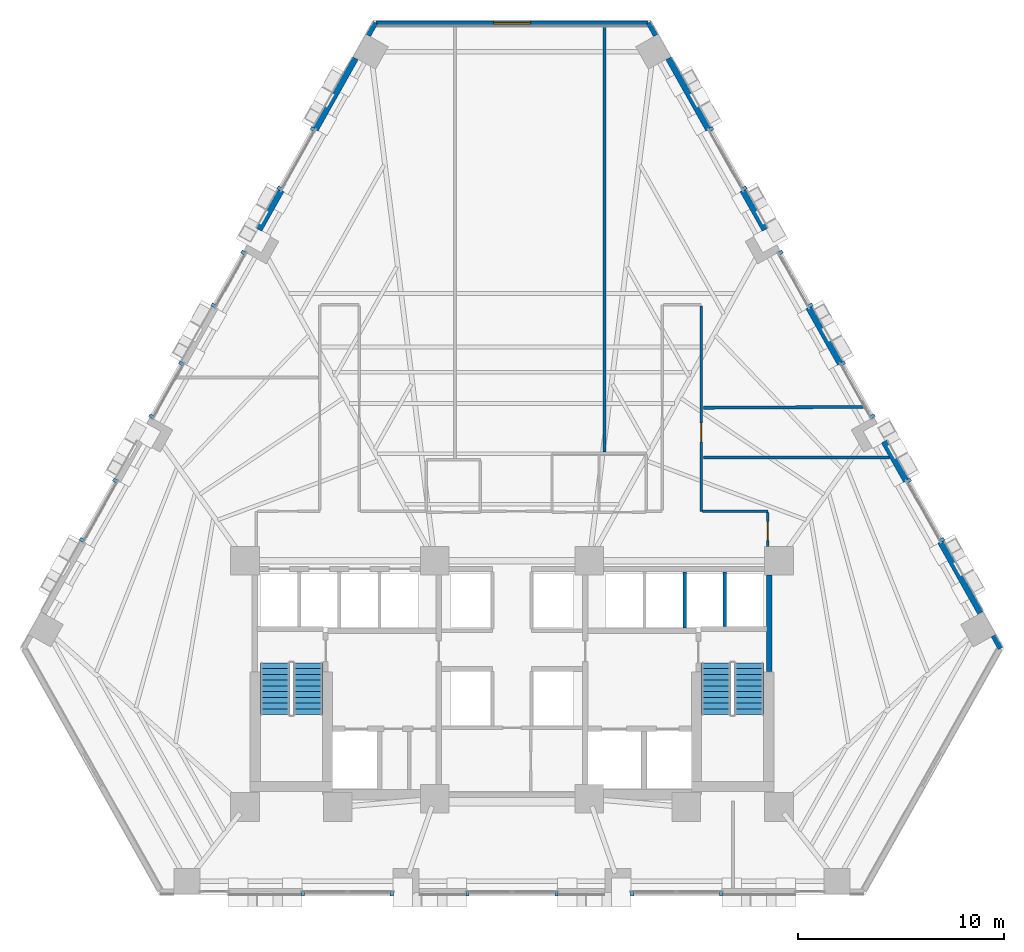
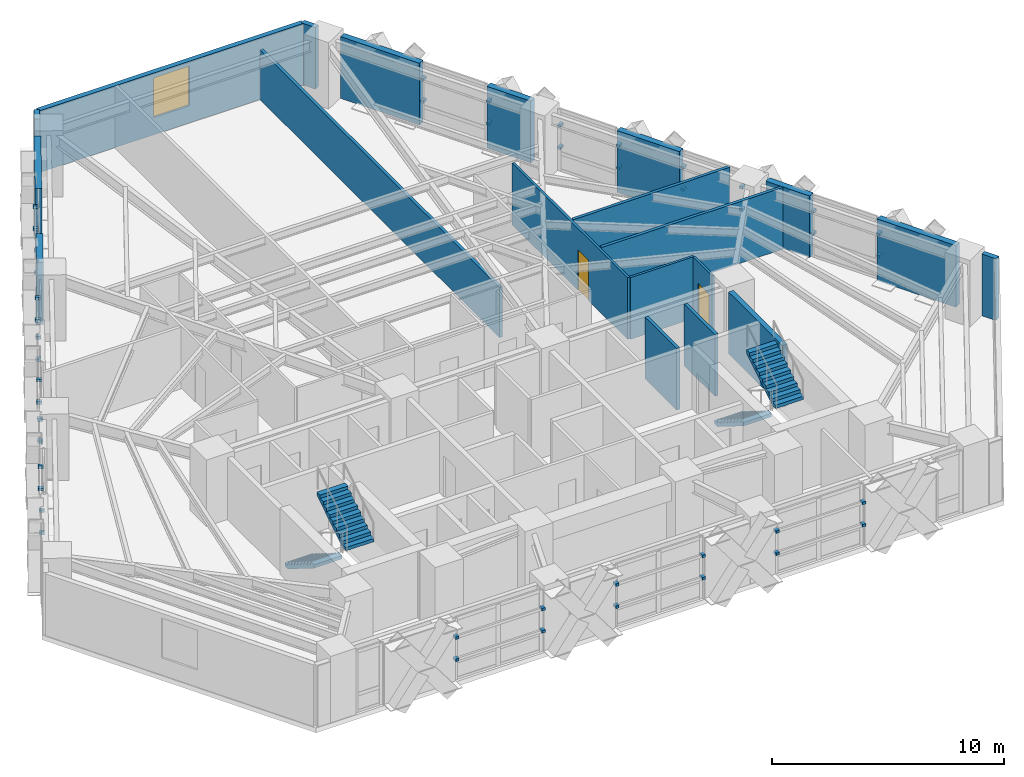
# One storey, part 9 of 13: 44 discrete accessories, 20 walls, 4 stair flights, 2 doors, 1 window, 3 openings, 2 elements without a shape of their own.
"""IFC4 building model written with IfcOpenShell, lengths in metres."""

from ifc_helpers import new_model, si_unit, direction, frame, frame_2d, origin, origin_2d, place, context, subcontext, project, spatial, polyline, rectangle, outline, extrude, material, layer, layer_set, type_object, element, fill, aggregate, save


model = new_model("IFC4")

# Units and contexts
model_context = context("Model", 3, precision=1e-05, world=origin(), true_north=direction((0.0, 1.0)))
body_context = subcontext(model_context, "Body", "Model", "MODEL_VIEW")
ifc_project = project(units=[si_unit("LENGTHUNIT", "METRE"), si_unit("AREAUNIT", "SQUARE_METRE"), si_unit("VOLUMEUNIT", "CUBIC_METRE"), si_unit("PLANEANGLEUNIT", "RADIAN"), si_unit("MASSUNIT", "GRAM", prefix="KILO")], contexts=[model_context])

# Site, building, storey
site_placement = place(None, origin())
site = spatial("IfcSite", under=ifc_project, at=site_placement, CompositionType="ELEMENT")
building_placement = place(site_placement, origin())
building = spatial("IfcBuilding", under=site, at=building_placement, Name="Quenlor Broadcast Tower", CompositionType="ELEMENT")
storey_placement = place(building_placement, frame((0.0, 0.0, 62.60009765625)))
storey = spatial("IfcBuildingStorey", under=building, at=storey_placement, Name="L16", CompositionType="ELEMENT", Elevation=62.60009765625)

# Walls
ifc_material_1 = material(Name="Acoustic Double Stud Gypsum Partition", Category="other")
ifc_layer_1 = layer(ifc_material_1, 0.14990234375)
ifc_layer_set_1 = layer_set([ifc_layer_1], Name="Broadcast Studio Acoustic Partition 150")
wall_type_1 = type_object("IfcWallType", Name="Broadcast Studio Acoustic Partition 150", PredefinedType="PARTITIONING", material=ifc_layer_set_1)
wall_1_placement = place(storey_placement, frame((4.47998046875, 21.14990234375, 0.0), z_axis=(0.0, 0.0, 1.0), x_axis=(0.0, -1.0, 0.0)))
element("IfcWall", 1, at=wall_1_placement, inside=storey, type_object=wall_type_1, Name="L16 Interior Wall PW-DV-02", PredefinedType="PARTITIONING", context=body_context, shape_type="SweptSolid", body=[
    extrude(rectangle(XDim=20.677978515625, YDim=0.14990234375, at=frame_2d((10.3388671875, 0.0))), origin(), (0.0, 0.0, 1.0), 2.63818359375),
])
wall_2_placement = place(storey_placement, frame((17.095947265625, 2.660400390625, 0.0), z_axis=(0.0, 0.0, 1.0), x_axis=(-0.999987164142, -0.005066710055, 0.0)))
element("IfcWall", 2, at=wall_2_placement, inside=storey, type_object=wall_type_1, Name="L16 Interior Wall PW-DV-04", PredefinedType="PARTITIONING", context=body_context, shape_type="SweptSolid", body=[
    extrude(rectangle(XDim=7.805908203125, YDim=0.14990234375, at=frame_2d((3.90283203125, 0.0))), origin(), (0.0, 0.0, 1.0), 3.25),
])
wall_3_placement = place(storey_placement, frame((18.317138671875, 0.19970703125, 0.0), z_axis=(0.0, 0.0, 1.0), x_axis=(-1.0, 0.0, 0.0)))
element("IfcWall", 3, at=wall_3_placement, inside=storey, type_object=wall_type_1, Name="L16 Interior Wall PW-DV-05", PredefinedType="PARTITIONING", context=body_context, shape_type="SweptSolid", body=[
    extrude(rectangle(XDim=9.027099609375, YDim=0.14990234375, at=frame_2d((4.513671875, 0.0))), origin(), (0.0, 0.0, 1.0), 3.25),
])
ifc_material_2 = material(Name="Concrete C40/50", Category="concrete")
ifc_layer_2 = layer(ifc_material_2, 0.25)
ifc_layer_set_2 = layer_set([ifc_layer_2], Name="Fire Rated Concrete C40/50 Core Wall 250")
wall_type_2 = type_object("IfcWallType", Name="Fire Rated Concrete C40/50 Core Wall 250", PredefinedType="PARTITIONING", material=ifc_layer_set_2)
wall_4_placement = place(storey_placement, frame((12.47998046875, -10.179931640625, 0.0), z_axis=(0.0, 0.0, 1.0), x_axis=(0.0, 1.0, 0.0)))
element("IfcWall", 4, at=wall_4_placement, inside=storey, type_object=wall_type_2, Name="L16 Interior Wall CW-ST2-E2", PredefinedType="PARTITIONING", context=body_context, shape_type="SweptSolid", body=[
    extrude(rectangle(XDim=4.677978515625, YDim=0.25, at=frame_2d((2.3388671875, 0.0))), origin(), (0.0, 0.0, 1.0), 3.25),
])
ifc_material_3 = material(Name="Gypsum Fireboard Partition", Category="other")
ifc_layer_3 = layer(ifc_material_3, 0.159912109375)
ifc_layer_set_3 = layer_set([ifc_layer_3], Name="Fire Rated Shaft and Corridor Partition 160")
wall_type_3 = type_object("IfcWallType", Name="Fire Rated Shaft and Corridor Partition 160", PredefinedType="PARTITIONING", material=ifc_layer_set_3)
wall_5_placement = place(storey_placement, frame((8.375, -8.072998046875, 0.0), z_axis=(0.0, 0.0, 1.0), x_axis=(0.0, 1.0, 0.0)))
element("IfcWall", 5, at=wall_5_placement, inside=storey, type_object=wall_type_3, Name="L16 Interior Wall CW-PLH-D2", PredefinedType="PARTITIONING", context=body_context, shape_type="SweptSolid", body=[
    extrude(rectangle(XDim=2.73291015625, YDim=0.159912109375, at=frame_2d((1.366455078125, 0.0))), origin(), (0.0, 0.0, 1.0), 3.25),
])
wall_6_placement = place(storey_placement, frame((10.324951171875, -7.992919921875, 0.0), z_axis=(0.0, 0.0, 1.0), x_axis=(0.0, 1.0, 0.0)))
element("IfcWall", 6, at=wall_6_placement, inside=storey, type_object=wall_type_3, Name="L16 Interior Wall CW-PLH-D3", PredefinedType="PARTITIONING", context=body_context, shape_type="SweptSolid", body=[
    extrude(rectangle(XDim=2.65283203125, YDim=0.159912109375, at=frame_2d((1.326416015625, 0.0))), origin(), (0.0, 0.0, 1.0), 3.25),
])

# Wall, opening, door
ifc_material_4 = material(Name="Gypsum Plasterboard Partition", Category="other")
ifc_layer_4 = layer(ifc_material_4, 0.1201171875)
ifc_layer_set_4 = layer_set([ifc_layer_4], Name="Standard Office Partition 120")
wall_type_4 = type_object("IfcWallType", Name="Standard Office Partition 120", PredefinedType="PARTITIONING", material=ifc_layer_set_4)
wall_7_placement = place(storey_placement, frame((9.179931640625, 7.548095703125, 0.0), z_axis=(0.0, 0.0, 1.0), x_axis=(0.0, -1.0, 0.0)))
wall_7 = element("IfcWall", 7, at=wall_7_placement, inside=storey, type_object=wall_type_4, Name="L16 Interior Wall PW-CR-10", PredefinedType="PARTITIONING", context=body_context, shape_type="SweptSolid", body=[
    extrude(rectangle(XDim=9.947998046875, YDim=0.1201171875, at=frame_2d((4.97412109375, 0.0))), origin(), (0.0, 0.0, 1.0), 3.25),
])
opening_1_placement = place(wall_7_placement, frame((5.657958984375, 0.0, 0.0)))
opening_1 = element("IfcOpeningElement", 8, at=opening_1_placement, cuts=wall_7, Name="Opening ID-1", PredefinedType="OPENING", context=body_context, shape_type="SweptSolid", body=[
    extrude(rectangle(XDim=0.919921875, YDim=2.1201171875, at=frame_2d((0.4599609375, 1.06005859375))), frame((0.0, 0.070068359375, 0.0), z_axis=(0.0, -1.0, 0.0), x_axis=(1.0, 0.0, 0.0)), (0.0, 0.0, 1.0), 0.14013671875),
])
ifc_material_5 = material(Name="Solid Core Timber Oak", Category="wood")
door_type = type_object("IfcDoorType", Name="Single Leaf Timber Office Door 920x2120", OperationType="NOTDEFINED", PredefinedType="DOOR", material=ifc_material_5)
door_1_placement = place(opening_1_placement, origin())
door_1 = element("IfcDoor", 9, at=door_1_placement, inside=storey, type_object=door_type, Name="L16 Door DR-RM05", OperationType="SINGLE_SWING_RIGHT", OverallHeight=2.1201171875, OverallWidth=0.919921875, PredefinedType="DOOR", context=body_context, shape_type="SweptSolid", body=[
    extrude(rectangle(XDim=0.919921875, YDim=2.1201171875, at=frame_2d((0.4599609375, 1.06005859375))), frame((0.0, 0.02490234375, 0.0), z_axis=(0.0, -1.0, 0.0), x_axis=(1.0, 0.0, 0.0)), (0.0, 0.0, 1.0), 0.050048828125),
])
fill(opening_1, door_1)

# Wall
wall_8_placement = place(storey_placement, frame((9.241943359375, -2.39990234375, 0.0), z_axis=(0.0, 0.0, 1.0), x_axis=(1.0, 0.0, 0.0)))
element("IfcWall", 10, at=wall_8_placement, inside=storey, type_object=wall_type_4, Name="L16 Interior Wall PW-CR-11", PredefinedType="PARTITIONING", context=body_context, shape_type="SweptSolid", body=[
    extrude(rectangle(XDim=3.16796875, YDim=0.1201171875, at=frame_2d((1.583984375, 0.0))), origin(), (0.0, 0.0, 1.0), 3.25),
])

# Wall, opening, door
wall_9_placement = place(storey_placement, frame((12.409912109375, -2.4619140625, 0.0), z_axis=(0.0, 0.0, 1.0), x_axis=(0.0, -1.0, 0.0)))
wall_9 = element("IfcWall", 11, at=wall_9_placement, inside=storey, type_object=wall_type_4, Name="L16 Interior Wall PW-CR-12", PredefinedType="PARTITIONING", context=body_context, shape_type="SweptSolid", body=[
    extrude(rectangle(XDim=1.635986328125, YDim=0.1201171875, at=frame_2d((0.81787109375, 0.0))), origin(), (0.0, 0.0, 1.0), 3.25),
])
opening_2_placement = place(wall_9_placement, frame((0.443115234375, 0.0, 0.0)))
opening_2 = element("IfcOpeningElement", 12, at=opening_2_placement, cuts=wall_9, Name="Opening ID-1", PredefinedType="OPENING", context=body_context, shape_type="SweptSolid", body=[
    extrude(rectangle(XDim=0.919921875, YDim=2.1201171875, at=frame_2d((0.4599609375, 1.06005859375))), frame((0.0, 0.070068359375, 0.0), z_axis=(0.0, -1.0, 0.0), x_axis=(1.0, 0.0, 0.0)), (0.0, 0.0, 1.0), 0.14013671875),
])
door_2_placement = place(opening_2_placement, origin())
door_2 = element("IfcDoor", 13, at=door_2_placement, inside=storey, type_object=door_type, Name="L16 Door DR-RM06", OperationType="SINGLE_SWING_LEFT", OverallHeight=2.1201171875, OverallWidth=0.919921875, PredefinedType="DOOR", context=body_context, shape_type="SweptSolid", body=[
    extrude(rectangle(XDim=0.919921875, YDim=2.1201171875, at=frame_2d((0.4599609375, 1.06005859375))), frame((0.0, 0.02490234375, 0.0), z_axis=(0.0, -1.0, 0.0), x_axis=(1.0, 0.0, 0.0)), (0.0, 0.0, 1.0), 0.050048828125),
])
fill(opening_2, door_2)

# Walls
ifc_material_6 = material(Name="Precast concrete C40/50", Category="concrete")
ifc_layer_5 = layer(ifc_material_6, 0.239990234375)
ifc_layer_set_5 = layer_set([ifc_layer_5], Name="Terrace Threshold Precast Concrete C40/50 Wall 240")
wall_type_5 = type_object("IfcWallType", Name="Terrace Threshold Precast Concrete C40/50 Wall 240", PredefinedType="STANDARD", material=ifc_layer_set_5)
wall_10_placement = place(storey_placement, frame((6.621826171875, 21.30126953125, 0.0), z_axis=(0.0, 0.0, 1.0), x_axis=(0.490261239633, -0.871575537125, 0.0)))
element("IfcWall", 14, at=wall_10_placement, inside=storey, type_object=wall_type_5, Name="L16 Exterior Wall L16-SHD-NES0", PredefinedType="STANDARD", context=body_context, shape_type="SweptSolid", body=[
    extrude(rectangle(XDim=0.7080078125, YDim=0.239990234375, at=frame_2d((0.35400390625, 0.0))), origin(), (0.0, 0.0, 1.0), 3.25),
])
wall_11_placement = place(storey_placement, frame((23.351806640625, -8.44091796875, 0.0), z_axis=(0.0, 0.0, 1.0), x_axis=(0.490523074758, -0.871428203084, 0.0)))
element("IfcWall", 15, at=wall_11_placement, inside=storey, type_object=wall_type_5, Name="L16 Exterior Wall L16-SHD-NES1", PredefinedType="STANDARD", context=body_context, shape_type="SweptSolid", body=[
    extrude(rectangle(XDim=0.708251953125, YDim=0.239990234375, at=frame_2d((0.35400390625, 0.0))), origin(), (0.0, 0.0, 1.0), 3.25),
])
wall_12_placement = place(storey_placement, frame((-6.968994140625, 20.68408203125, 0.0), z_axis=(0.0, 0.0, 1.0), x_axis=(0.490261239633, 0.871575537125, 0.0)))
element("IfcWall", 16, at=wall_12_placement, inside=storey, type_object=wall_type_5, Name="L16 Exterior Wall L16-SHD-NWS1", PredefinedType="STANDARD", context=body_context, shape_type="SweptSolid", body=[
    extrude(rectangle(XDim=0.7080078125, YDim=0.239990234375, at=frame_2d((0.35400390625, 0.0))), origin(), (0.0, 0.0, 1.0), 3.25),
])

# Wall, opening, window
wall_13_placement = place(storey_placement, frame((6.598388671875, 21.27197265625, 0.0), z_axis=(0.0, 0.0, 1.0), x_axis=(-1.0, 0.0, 0.0)))
wall_13 = element("IfcWall", 17, at=wall_13_placement, inside=storey, type_object=wall_type_5, Name="L16 Exterior Wall L16-CNR-02", PredefinedType="STANDARD", context=body_context, shape_type="SweptSolid", body=[
    extrude(rectangle(XDim=13.186767578125, YDim=0.239990234375, at=frame_2d((6.59326171875, 0.0))), origin(), (0.0, 0.0, 1.0), 3.25),
])
opening_3_placement = place(wall_13_placement, frame((5.693115234375, 0.0, 0.89990234375)))
opening_3 = element("IfcOpeningElement", 18, at=opening_3_placement, cuts=wall_13, Name="Opening WN-1", PredefinedType="OPENING", context=body_context, shape_type="SweptSolid", body=[
    extrude(rectangle(XDim=1.800048828125, YDim=2.10009765625, at=frame_2d((0.89990234375, 1.050048828125))), frame((0.0, 0.1298828125, 0.0), z_axis=(0.0, -1.0, 0.0), x_axis=(1.0, 0.0, 0.0)), (0.0, 0.0, 1.0), 0.260009765625),
])
ifc_material_7 = material(Name="Thermally Broken Aluminium and Low-E Glass", Category="aluminium")
window_type = type_object("IfcWindowType", Name="Tower Acoustic Vision Window 1800x2100", PartitioningType="SINGLE_PANEL", PredefinedType="WINDOW", material=ifc_material_7)
window_placement = place(opening_3_placement, origin())
window = element("IfcWindow", 19, at=window_placement, inside=storey, type_object=window_type, Name="L16 Corner Chamfer Window 2", OverallHeight=2.10009765625, OverallWidth=1.800048828125, PartitioningType="SINGLE_PANEL", PredefinedType="WINDOW", context=body_context, shape_type="SweptSolid", body=[
    extrude(rectangle(XDim=1.800048828125, YDim=2.10009765625, at=frame_2d((0.89990234375, 1.050048828125))), frame((0.0, 0.030029296875, 0.0), z_axis=(0.0, -1.0, 0.0), x_axis=(1.0, 0.0, 0.0)), (0.0, 0.0, 1.0), 0.06005859375),
])
fill(opening_3, window)

# Walls
ifc_material_8 = material(Name="Precast concrete C40/50", Category="concrete")
ifc_layer_6 = layer(ifc_material_8, 0.300048828125)
ifc_layer_set_6 = layer_set([ifc_layer_6], Name="Terracotta Precast Concrete C40/50 Spandrel Wall 300")
wall_type_6 = type_object("IfcWallType", Name="Terracotta Precast Concrete C40/50 Spandrel Wall 300", PredefinedType="STANDARD", material=ifc_layer_set_6)
wall_14_placement = place(storey_placement, frame((7.5966796875, 19.568603515625, 0.0), z_axis=(0.0, 0.0, 1.0), x_axis=(0.490240735008, -0.871587070659, 0.0)))
element("IfcWall", 20, at=wall_14_placement, inside=storey, type_object=wall_type_6, Name="L16 Exterior Wall L16-NEA-SP1", PredefinedType="STANDARD", context=body_context, shape_type="SweptSolid", body=[
    extrude(rectangle(XDim=3.95703125, YDim=0.300048828125, at=frame_2d((1.978515625, 0.0))), origin(), (0.0, 0.0, 1.0), 3.25),
])
wall_15_placement = place(storey_placement, frame((11.194091796875, 13.1728515625, 0.0), z_axis=(0.0, 0.0, 1.0), x_axis=(0.490324540864, -0.871539927156, 0.0)))
element("IfcWall", 21, at=wall_15_placement, inside=storey, type_object=wall_type_6, Name="L16 Exterior Wall L16-NEA-SP2", PredefinedType="STANDARD", context=body_context, shape_type="SweptSolid", body=[
    extrude(rectangle(XDim=2.197265625, YDim=0.300048828125, at=frame_2d((1.0986328125, 0.0))), origin(), (0.0, 0.0, 1.0), 3.25),
])
wall_16_placement = place(storey_placement, frame((18.049560546875, 0.985595703125, 0.0), z_axis=(0.0, 0.0, 1.0), x_axis=(0.490277063651, -0.871566635925, 0.0)))
element("IfcWall", 22, at=wall_16_placement, inside=storey, type_object=wall_type_6, Name="L16 Exterior Wall L16-NEC-SP1", PredefinedType="STANDARD", context=body_context, shape_type="SweptSolid", body=[
    extrude(rectangle(XDim=2.197509765625, YDim=0.300048828125, at=frame_2d((1.0986328125, 0.0))), origin(), (0.0, 0.0, 1.0), 3.25),
])
wall_17_placement = place(storey_placement, frame((20.784423828125, -3.87646484375, 0.0), z_axis=(0.0, 0.0, 1.0), x_axis=(0.490267098362, -0.871572241563, 0.0)))
element("IfcWall", 23, at=wall_17_placement, inside=storey, type_object=wall_type_6, Name="L16 Exterior Wall L16-NEC-SP2", PredefinedType="STANDARD", context=body_context, shape_type="SweptSolid", body=[
    extrude(rectangle(XDim=3.956787109375, YDim=0.300048828125, at=frame_2d((1.978515625, 0.0))), origin(), (0.0, 0.0, 1.0), 3.25),
])
wall_18_placement = place(storey_placement, frame((14.390869140625, 7.48974609375, 0.0), z_axis=(0.0, 0.0, 1.0), x_axis=(0.490290775148, -0.871558922738, 0.0)))
element("IfcWall", 24, at=wall_18_placement, inside=storey, type_object=wall_type_6, Name="L16 Exterior Wall L16-NE-SP1", PredefinedType="STANDARD", context=body_context, shape_type="SweptSolid", body=[
    extrude(rectangle(XDim=3.1396484375, YDim=0.300048828125, at=frame_2d((1.56982421875, 0.0))), origin(), (0.0, 0.0, 1.0), 3.25),
])
wall_19_placement = place(storey_placement, frame((-12.271484375, 11.2578125, 0.0), z_axis=(0.0, 0.0, 1.0), x_axis=(0.490324540864, 0.871539927156, 0.0)))
element("IfcWall", 25, at=wall_19_placement, inside=storey, type_object=wall_type_6, Name="L16 Exterior Wall L16-NWC-SP1", PredefinedType="STANDARD", context=body_context, shape_type="SweptSolid", body=[
    extrude(rectangle(XDim=2.197265625, YDim=0.300048828125, at=frame_2d((1.0986328125, 0.0))), origin(), (0.0, 0.0, 1.0), 3.25),
])
wall_20_placement = place(storey_placement, frame((-9.53662109375, 16.11962890625, 0.0), z_axis=(0.0, 0.0, 1.0), x_axis=(0.490240735008, 0.871587070659, 0.0)))
element("IfcWall", 26, at=wall_20_placement, inside=storey, type_object=wall_type_6, Name="L16 Exterior Wall L16-NWC-SP2", PredefinedType="STANDARD", context=body_context, shape_type="SweptSolid", body=[
    extrude(rectangle(XDim=3.95703125, YDim=0.300048828125, at=frame_2d((1.978515625, 0.0))), origin(), (0.0, 0.0, 1.0), 3.25),
])

# Stair, stair flights
ifc_material_9 = material(Name="Precast concrete C40/50", Category="concrete")
stair_type = type_object("IfcStairType", Name="Precast Concrete C40/50 Dogleg Stair H350", PredefinedType="HALF_TURN_STAIR", material=ifc_material_9)
stair_1_placement = place(storey_placement, origin())
stair_1 = element("IfcStair", 27, at=stair_1_placement, inside=storey, type_object=stair_type, Name="L16 West Core Fire-Isolated Exit Stair ST-1", PredefinedType="HALF_TURN_STAIR")
ifc_material_10 = material(Name="Precast concrete C40/50", Category="concrete")
ifc_layer_7 = layer(ifc_material_10, 0.159912109375)
ifc_layer_set_7 = layer_set([ifc_layer_7], Name="Precast Concrete C40/50 Stair Flight H350")
stair_flight_type = type_object("IfcStairFlightType", Name="Precast Concrete C40/50 Stair Flight H350", PredefinedType="STRAIGHT", material=ifc_layer_set_7)
stair_flight_1_placement = place(storey_placement, frame((-11.5, -9.75, 0.0), z_axis=(0.0, 0.0, 1.0), x_axis=(0.0, -1.0, 0.0)))
stair_flight_1 = element("IfcStairFlight", 28, at=stair_flight_1_placement, type_object=stair_flight_type, Name="ST-1 flight 1", NumberOfRisers=10, NumberOfTreads=9, PredefinedType="STRAIGHT", RiserHeight=0.175, TreadLength=0.28, context=body_context, shape_type="SweptSolid", body=[
    extrude(outline(polyline([(0.0, 0.0), (0.0, 0.175048828125), (0.280029296875, 0.175048828125), (0.280029296875, 0.35009765625), (0.56005859375, 0.35009765625), (0.56005859375, 0.52490234375), (0.840087890625, 0.52490234375), (0.840087890625, 0.699951171875), (1.1201171875, 0.699951171875), (1.1201171875, 0.875), (1.39990234375, 0.875), (1.39990234375, 1.050048828125), (1.679931640625, 1.050048828125), (1.679931640625, 1.22509765625), (1.9599609375, 1.22509765625), (1.9599609375, 1.39990234375), (2.239990234375, 1.39990234375), (2.239990234375, 1.574951171875), (2.52001953125, 1.574951171875), (2.52001953125, 1.75), (2.52001953125, 1.398193359375), (0.28271484375, 0.0), (0.0, 0.0)])), frame((0.0, 0.699951171875, 0.0), z_axis=(0.0, -1.0, 0.0), x_axis=(1.0, 0.0, 0.0)), (0.0, 0.0, 1.0), 1.39990234375),
])
stair_flight_2_placement = place(storey_placement, frame((-9.89990234375, -12.27001953125, 1.75), z_axis=(0.0, 0.0, 1.0), x_axis=(0.0, 1.0, 0.0)))
stair_flight_2 = element("IfcStairFlight", 29, at=stair_flight_2_placement, type_object=stair_flight_type, Name="ST-1 flight 2", NumberOfRisers=10, NumberOfTreads=9, PredefinedType="STRAIGHT", RiserHeight=0.175, TreadLength=0.28, context=body_context, shape_type="SweptSolid", body=[
    extrude(outline(polyline([(0.0, 0.0), (0.0, 0.175048828125), (0.280029296875, 0.175048828125), (0.280029296875, 0.35009765625), (0.56005859375, 0.35009765625), (0.56005859375, 0.52490234375), (0.840087890625, 0.52490234375), (0.840087890625, 0.699951171875), (1.1201171875, 0.699951171875), (1.1201171875, 0.875), (1.39990234375, 0.875), (1.39990234375, 1.050048828125), (1.679931640625, 1.050048828125), (1.679931640625, 1.22509765625), (1.9599609375, 1.22509765625), (1.9599609375, 1.39990234375), (2.239990234375, 1.39990234375), (2.239990234375, 1.574951171875), (2.52001953125, 1.574951171875), (2.52001953125, 1.75), (2.52001953125, 1.398193359375), (0.28271484375, 0.0), (0.0, 0.0)])), frame((0.0, 0.699951171875, 0.0), z_axis=(0.0, -1.0, 0.0), x_axis=(1.0, 0.0, 0.0)), (0.0, 0.0, 1.0), 1.39990234375),
])
aggregate(stair_1, [stair_flight_1, stair_flight_2])

stair_2_placement = place(storey_placement, origin())
stair_2 = element("IfcStair", 30, at=stair_2_placement, inside=storey, type_object=stair_type, Name="L16 East Core Fire-Isolated Exit Stair ST-2", PredefinedType="HALF_TURN_STAIR")
stair_flight_3_placement = place(storey_placement, frame((9.89990234375, -9.75, 0.0), z_axis=(0.0, 0.0, 1.0), x_axis=(0.0, -1.0, 0.0)))
stair_flight_3 = element("IfcStairFlight", 31, at=stair_flight_3_placement, type_object=stair_flight_type, Name="ST-2 flight 1", NumberOfRisers=10, NumberOfTreads=9, PredefinedType="STRAIGHT", RiserHeight=0.175, TreadLength=0.28, context=body_context, shape_type="SweptSolid", body=[
    extrude(outline(polyline([(0.0, 0.0), (0.0, 0.175048828125), (0.280029296875, 0.175048828125), (0.280029296875, 0.35009765625), (0.56005859375, 0.35009765625), (0.56005859375, 0.52490234375), (0.840087890625, 0.52490234375), (0.840087890625, 0.699951171875), (1.1201171875, 0.699951171875), (1.1201171875, 0.875), (1.39990234375, 0.875), (1.39990234375, 1.050048828125), (1.679931640625, 1.050048828125), (1.679931640625, 1.22509765625), (1.9599609375, 1.22509765625), (1.9599609375, 1.39990234375), (2.239990234375, 1.39990234375), (2.239990234375, 1.574951171875), (2.52001953125, 1.574951171875), (2.52001953125, 1.75), (2.52001953125, 1.398193359375), (0.28271484375, 0.0), (0.0, 0.0)])), frame((0.0, 0.699951171875, 0.0), z_axis=(0.0, -1.0, 0.0), x_axis=(1.0, 0.0, 0.0)), (0.0, 0.0, 1.0), 1.39990234375),
])
stair_flight_4_placement = place(storey_placement, frame((11.5, -12.27001953125, 1.75), z_axis=(0.0, 0.0, 1.0), x_axis=(0.0, 1.0, 0.0)))
stair_flight_4 = element("IfcStairFlight", 32, at=stair_flight_4_placement, type_object=stair_flight_type, Name="ST-2 flight 2", NumberOfRisers=10, NumberOfTreads=9, PredefinedType="STRAIGHT", RiserHeight=0.175, TreadLength=0.28, context=body_context, shape_type="SweptSolid", body=[
    extrude(outline(polyline([(0.0, 0.0), (0.0, 0.175048828125), (0.280029296875, 0.175048828125), (0.280029296875, 0.35009765625), (0.56005859375, 0.35009765625), (0.56005859375, 0.52490234375), (0.840087890625, 0.52490234375), (0.840087890625, 0.699951171875), (1.1201171875, 0.699951171875), (1.1201171875, 0.875), (1.39990234375, 0.875), (1.39990234375, 1.050048828125), (1.679931640625, 1.050048828125), (1.679931640625, 1.22509765625), (1.9599609375, 1.22509765625), (1.9599609375, 1.39990234375), (2.239990234375, 1.39990234375), (2.239990234375, 1.574951171875), (2.52001953125, 1.574951171875), (2.52001953125, 1.75), (2.52001953125, 1.398193359375), (0.28271484375, 0.0), (0.0, 0.0)])), frame((0.0, 0.699951171875, 0.0), z_axis=(0.0, -1.0, 0.0), x_axis=(1.0, 0.0, 0.0)), (0.0, 0.0, 1.0), 1.39990234375),
])
aggregate(stair_2, [stair_flight_3, stair_flight_4])

# Discrete accessories
ifc_material_11 = material(Name="Aluminium 6063-T6", Category="aluminium")
discrete_accessory_type = type_object("IfcDiscreteAccessoryType", Name="Stainless Mullion Baguette Support Bracket", PredefinedType="BRACKET", material=ifc_material_11)
for number, where, z_axis, x_axis, name in (
    (33, (10.134765625, -20.949951171875, 1.10009765625), (0.0, 0.0, 1.0), (-1.0, 0.0, 0.0), "L16 Baguette Mullion Bracket 1.1"),
    (34, (5.830810546875, -20.949951171875, 1.10009765625), (0.0, 0.0, 1.0), (-1.0, 0.0, 0.0), "L16 Baguette Mullion Bracket 1.2"),
    (35, (10.134765625, -20.949951171875, 2.27001953125), (0.0, 0.0, 1.0), (-1.0, 0.0, 0.0), "L16 Baguette Mullion Bracket 2.1"),
    (36, (5.830810546875, -20.949951171875, 2.27001953125), (0.0, 0.0, 1.0), (-1.0, 0.0, 0.0), "L16 Baguette Mullion Bracket 2.2"),
    (37, (-5.830810546875, -20.949951171875, 1.10009765625), (0.0, 0.0, 1.0), (-1.0, 0.0, 0.0), "L16 Baguette Mullion Bracket 1.1"),
    (38, (-10.134765625, -20.949951171875, 1.10009765625), (0.0, 0.0, 1.0), (-1.0, 0.0, 0.0), "L16 Baguette Mullion Bracket 1.2"),
    (39, (-5.830810546875, -20.949951171875, 2.27001953125), (0.0, 0.0, 1.0), (-1.0, 0.0, 0.0), "L16 Baguette Mullion Bracket 2.1"),
    (40, (-10.134765625, -20.949951171875, 2.27001953125), (0.0, 0.0, 1.0), (-1.0, 0.0, 0.0), "L16 Baguette Mullion Bracket 2.2"),
    (41, (2.154296875, -20.949951171875, 1.10009765625), (0.0, 0.0, 1.0), (-1.0, 0.0, 0.0), "L16 Baguette Mullion Bracket 1.1"),
    (42, (-2.154296875, -20.949951171875, 1.10009765625), (0.0, 0.0, 1.0), (-1.0, 0.0, 0.0), "L16 Baguette Mullion Bracket 1.2"),
    (43, (2.154296875, -20.949951171875, 2.27001953125), (0.0, 0.0, 1.0), (-1.0, 0.0, 0.0), "L16 Baguette Mullion Bracket 2.1"),
    (44, (-2.154296875, -20.949951171875, 2.27001953125), (0.0, 0.0, 1.0), (-1.0, 0.0, 0.0), "L16 Baguette Mullion Bracket 2.2"),
    (45, (9.652099609375, 16.138916015625, 1.10009765625), (0.0, 0.0, 1.0), (0.490243691999, -0.871585407436, 0.0), "L16 Baguette Mullion Bracket 1.1"),
    (46, (11.2705078125, 13.26171875, 1.10009765625), (0.0, 0.0, 1.0), (0.490243691999, -0.871585407436, 0.0), "L16 Baguette Mullion Bracket 1.2"),
    (47, (9.652099609375, 16.138916015625, 2.27001953125), (0.0, 0.0, 1.0), (0.490243691999, -0.871585407436, 0.0), "L16 Baguette Mullion Bracket 2.1"),
    (48, (11.2705078125, 13.26171875, 2.27001953125), (0.0, 0.0, 1.0), (0.490243691999, -0.871585407436, 0.0), "L16 Baguette Mullion Bracket 2.2"),
    (49, (19.242431640625, -0.91064453125, 1.10009765625), (0.0, 0.0, 1.0), (0.49025738277, -0.871577706599, 0.0), "L16 Baguette Mullion Bracket 1.1"),
    (50, (20.860595703125, -3.78759765625, 1.10009765625), (0.0, 0.0, 1.0), (0.49025738277, -0.871577706599, 0.0), "L16 Baguette Mullion Bracket 1.2"),
    (51, (19.242431640625, -0.91064453125, 2.27001953125), (0.0, 0.0, 1.0), (0.49025738277, -0.871577706599, 0.0), "L16 Baguette Mullion Bracket 2.1"),
    (52, (20.860595703125, -3.78759765625, 2.27001953125), (0.0, 0.0, 1.0), (0.49025738277, -0.871577706599, 0.0), "L16 Baguette Mullion Bracket 2.2"),
    (53, (13.021728515625, 10.148193359375, 1.10009765625), (0.0, 0.0, 1.0), (0.49027411577, -0.871568294172, 0.0), "L16 Baguette Mullion Bracket 1.1"),
    (54, (14.46728515625, 7.57861328125, 1.10009765625), (0.0, 0.0, 1.0), (0.49027411577, -0.871568294172, 0.0), "L16 Baguette Mullion Bracket 1.2"),
    (55, (13.021728515625, 10.148193359375, 2.27001953125), (0.0, 0.0, 1.0), (0.49027411577, -0.871568294172, 0.0), "L16 Baguette Mullion Bracket 2.1"),
    (56, (14.46728515625, 7.57861328125, 2.27001953125), (0.0, 0.0, 1.0), (0.49027411577, -0.871568294172, 0.0), "L16 Baguette Mullion Bracket 2.2"),
    (57, (16.045654296875, 4.7724609375, 1.10009765625), (0.0, 0.0, 1.0), (0.49027411577, -0.871568294172, 0.0), "L16 Baguette Mullion Bracket 1.1"),
    (58, (17.490966796875, 2.202880859375, 1.10009765625), (0.0, 0.0, 1.0), (0.49027411577, -0.871568294172, 0.0), "L16 Baguette Mullion Bracket 1.2"),
    (59, (16.045654296875, 4.7724609375, 2.27001953125), (0.0, 0.0, 1.0), (0.49027411577, -0.871568294172, 0.0), "L16 Baguette Mullion Bracket 2.1"),
    (60, (17.490966796875, 2.202880859375, 2.27001953125), (0.0, 0.0, 1.0), (0.49027411577, -0.871568294172, 0.0), "L16 Baguette Mullion Bracket 2.2"),
    (61, (-20.860595703125, -3.78759765625, 1.10009765625), (0.0, 0.0, 1.0), (0.49025738277, 0.871577706599, 0.0), "L16 Baguette Mullion Bracket 1.1"),
    (62, (-19.242431640625, -0.91064453125, 1.10009765625), (0.0, 0.0, 1.0), (0.49025738277, 0.871577706599, 0.0), "L16 Baguette Mullion Bracket 1.2"),
    (63, (-20.860595703125, -3.78759765625, 2.27001953125), (0.0, 0.0, 1.0), (0.49025738277, 0.871577706599, 0.0), "L16 Baguette Mullion Bracket 2.1"),
    (64, (-19.242431640625, -0.91064453125, 2.27001953125), (0.0, 0.0, 1.0), (0.49025738277, 0.871577706599, 0.0), "L16 Baguette Mullion Bracket 2.2"),
    (65, (-11.2705078125, 13.26171875, 1.10009765625), (0.0, 0.0, 1.0), (0.490243691999, 0.871585407436, 0.0), "L16 Baguette Mullion Bracket 1.1"),
    (66, (-9.652099609375, 16.138916015625, 1.10009765625), (0.0, 0.0, 1.0), (0.490243691999, 0.871585407436, 0.0), "L16 Baguette Mullion Bracket 1.2"),
    (67, (-11.2705078125, 13.26171875, 2.27001953125), (0.0, 0.0, 1.0), (0.490243691999, 0.871585407436, 0.0), "L16 Baguette Mullion Bracket 2.1"),
    (68, (-9.652099609375, 16.138916015625, 2.27001953125), (0.0, 0.0, 1.0), (0.490243691999, 0.871585407436, 0.0), "L16 Baguette Mullion Bracket 2.2"),
    (69, (-17.490966796875, 2.202880859375, 1.10009765625), (0.0, 0.0, 1.0), (0.49027411577, 0.871568294172, 0.0), "L16 Baguette Mullion Bracket 1.1"),
    (70, (-16.045654296875, 4.7724609375, 1.10009765625), (0.0, 0.0, 1.0), (0.49027411577, 0.871568294172, 0.0), "L16 Baguette Mullion Bracket 1.2"),
    (71, (-17.490966796875, 2.202880859375, 2.27001953125), (0.0, 0.0, 1.0), (0.49027411577, 0.871568294172, 0.0), "L16 Baguette Mullion Bracket 2.1"),
    (72, (-16.045654296875, 4.7724609375, 2.27001953125), (0.0, 0.0, 1.0), (0.49027411577, 0.871568294172, 0.0), "L16 Baguette Mullion Bracket 2.2"),
    (73, (-14.46728515625, 7.57861328125, 1.10009765625), (0.0, 0.0, 1.0), (0.49027411577, 0.871568294172, 0.0), "L16 Baguette Mullion Bracket 1.1"),
    (74, (-13.021728515625, 10.148193359375, 1.10009765625), (0.0, 0.0, 1.0), (0.49027411577, 0.871568294172, 0.0), "L16 Baguette Mullion Bracket 1.2"),
    (75, (-14.46728515625, 7.57861328125, 2.27001953125), (0.0, 0.0, 1.0), (0.49027411577, 0.871568294172, 0.0), "L16 Baguette Mullion Bracket 2.1"),
    (76, (-13.021728515625, 10.148193359375, 2.27001953125), (0.0, 0.0, 1.0), (0.49027411577, 0.871568294172, 0.0), "L16 Baguette Mullion Bracket 2.2"),
):
    element("IfcDiscreteAccessory", number, at=place(storey_placement, frame(where, z_axis=z_axis, x_axis=x_axis)), inside=storey, type_object=discrete_accessory_type, Name=name, PredefinedType="BRACKET", context=body_context, shape_type="SweptSolid", body=[
        extrude(rectangle(XDim=0.159912109375, YDim=0.239990234375, at=origin_2d()), origin(), (0.0, 0.0, 1.0), 0.139892578125),
    ])

save(model, "model.ifc")
